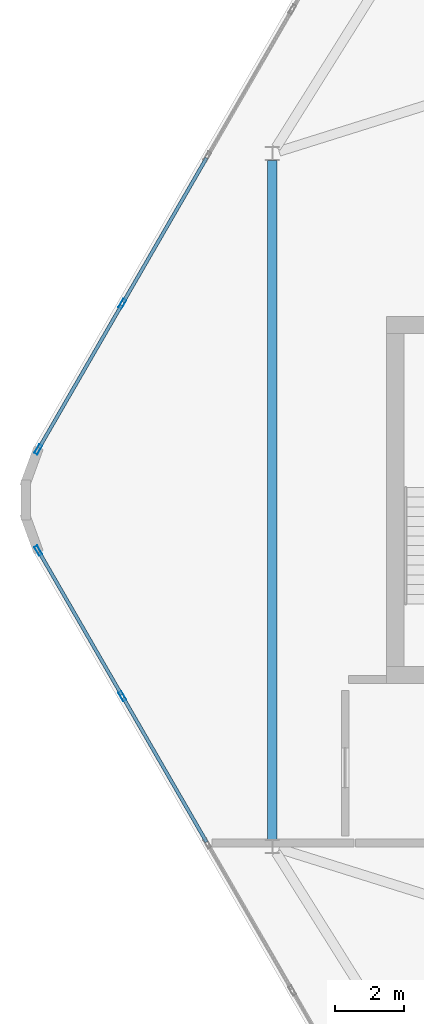
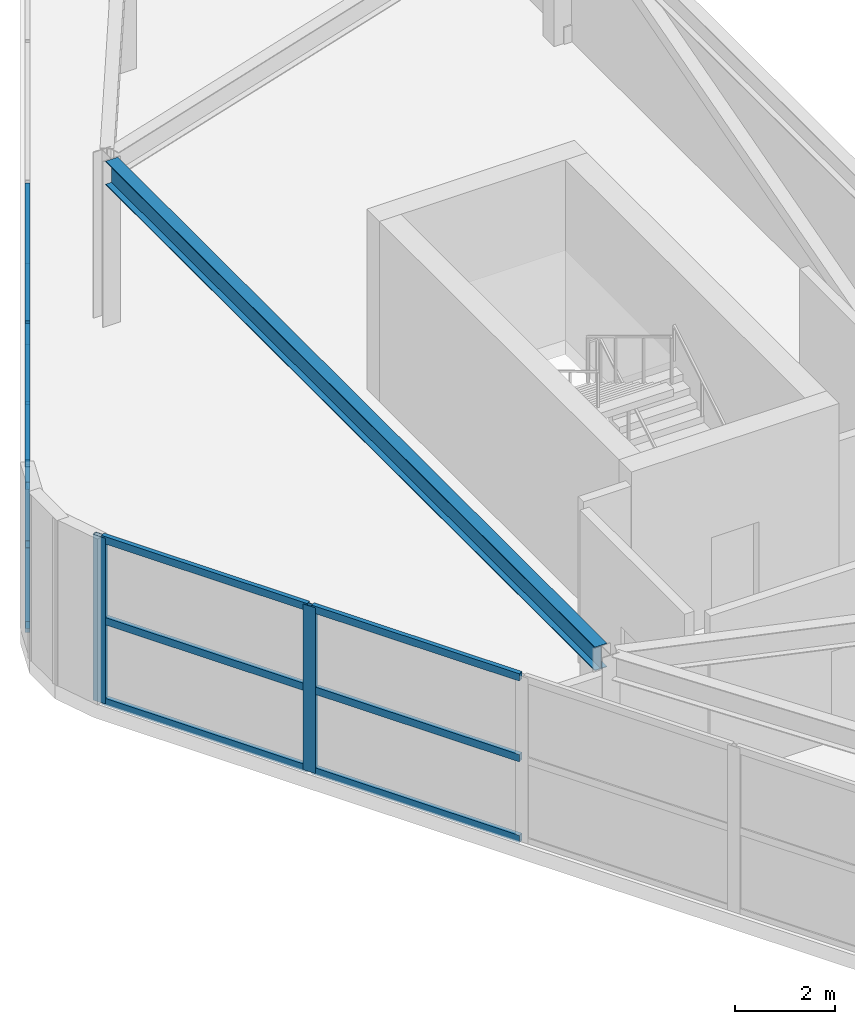
# One storey, part 5 of 16: 16 members, 1 beam, 2 elements without a shape of their own.
"""IFC4 building model written with IfcOpenShell, lengths in metres."""

from ifc_helpers import new_model, si_unit, direction, frame, origin, origin_2d, place, context, subcontext, project, spatial, hollow_rectangle, i_section, extrude, material, material_profile, profile_set, type_object, element, aggregate, save


model = new_model("IFC4")

# Units and contexts
model_context = context("Model", 3, precision=1e-05, world=origin(), true_north=direction((0.0, 1.0)))
body_context = subcontext(model_context, "Body", "Model", "MODEL_VIEW")
ifc_project = project(units=[si_unit("LENGTHUNIT", "METRE"), si_unit("AREAUNIT", "SQUARE_METRE"), si_unit("VOLUMEUNIT", "CUBIC_METRE"), si_unit("PLANEANGLEUNIT", "RADIAN"), si_unit("MASSUNIT", "GRAM", prefix="KILO")], contexts=[model_context])

# Site, building, storey
site_placement = place(None, origin())
site = spatial("IfcSite", under=ifc_project, at=site_placement, CompositionType="ELEMENT")
building_placement = place(site_placement, origin())
building = spatial("IfcBuilding", under=site, at=building_placement, Name="Zuhravey Tower", CompositionType="ELEMENT")
storey_placement = place(building_placement, frame((0.0, 0.0, 365.800048828125)))
storey = spatial("IfcBuildingStorey", under=building, at=storey_placement, Name="L93", CompositionType="ELEMENT", Elevation=365.800048828125)

# Curtain wall, members
ifc_material_1 = material(Name="Thermally broken anodised aluminium", Category="aluminium")
curtain_wall_type = type_object("IfcCurtainWallType", Name="Split-Top Crown Screened Curtain Wall CW6", PredefinedType="NOTDEFINED", material=ifc_material_1)
curtain_wall_1_placement = place(storey_placement, origin())
curtain_wall_1 = element("IfcCurtainWall", 1, at=curtain_wall_1_placement, inside=storey, type_object=curtain_wall_type, Name="L93 CW6 CW6-L93-WEST-04", PredefinedType="NOTDEFINED")
ifc_material_2 = material(Name="Anodised aluminium", Category="aluminium")
ifc_material_profile_1 = material_profile(ifc_material_2, hollow_rectangle(XDim=0.10009765625, YDim=0.2900390625, WallThickness=0.006103515625, at=origin_2d()), Name="ALU-RHS-100x290x6")
ifc_profile_set_1 = profile_set([ifc_material_profile_1], Name="Anodised aluminium")
member_type_1 = type_object("IfcMemberType", Name="Heavy Tall-Storey Mullion 100x220", PredefinedType="MULLION", material=ifc_profile_set_1)
member_1_placement = place(storey_placement, frame((11.471923828125, 26.3359375, 0.0), z_axis=(0.0, 0.0, 1.0), x_axis=(-0.866027063754, -0.499997124838, 0.0)))
member_1 = element("IfcMember", 2, at=member_1_placement, type_object=member_type_1, Name="CW6 mullion 5", PredefinedType="MULLION", context=body_context, shape_type="SweptSolid", body=[
    extrude(hollow_rectangle(XDim=0.10009765625, YDim=0.2900390625, WallThickness=0.006103515625, at=origin_2d()), origin(), (0.0, 0.0, 1.0), 4.050048828125),
])
member_2_placement = place(storey_placement, frame((9.0439453125, 30.541015625, 0.0), z_axis=(0.0, 0.0, 1.0), x_axis=(-0.866027063754, -0.499997124838, 0.0)))
member_2 = element("IfcMember", 3, at=member_2_placement, type_object=member_type_1, Name="CW6 mullion 6", PredefinedType="MULLION", context=body_context, shape_type="SweptSolid", body=[
    extrude(hollow_rectangle(XDim=0.10009765625, YDim=0.2900390625, WallThickness=0.006103515625, at=origin_2d()), origin(), (0.0, 0.0, 1.0), 4.050048828125),
])

curtain_wall_2_placement = place(storey_placement, origin())
curtain_wall_2 = element("IfcCurtainWall", 4, at=curtain_wall_2_placement, inside=storey, type_object=curtain_wall_type, Name="L93 CW6 CW6-L93-WEST-08", PredefinedType="NOTDEFINED")
member_3_placement = place(storey_placement, frame((9.0439453125, 33.458984375, 0.0), z_axis=(0.0, 0.0, 1.0), x_axis=(-0.866027063754, 0.499997124838, 0.0)))
member_3 = element("IfcMember", 5, at=member_3_placement, type_object=member_type_1, Name="CW6 mullion 1", PredefinedType="MULLION", context=body_context, shape_type="SweptSolid", body=[
    extrude(hollow_rectangle(XDim=0.10009765625, YDim=0.2900390625, WallThickness=0.006103515625, at=origin_2d()), origin(), (0.0, 0.0, 1.0), 4.050048828125),
])
member_4_placement = place(storey_placement, frame((11.471923828125, 37.6640625, 0.0), z_axis=(0.0, 0.0, 1.0), x_axis=(-0.866027063754, 0.499997124838, 0.0)))
member_4 = element("IfcMember", 6, at=member_4_placement, type_object=member_type_1, Name="CW6 mullion 2", PredefinedType="MULLION", context=body_context, shape_type="SweptSolid", body=[
    extrude(hollow_rectangle(XDim=0.10009765625, YDim=0.2900390625, WallThickness=0.006103515625, at=origin_2d()), origin(), (0.0, 0.0, 1.0), 4.050048828125),
])

# Beam
ifc_material_3 = material(Name="Steel SM355", Category="steel")
ifc_material_profile_2 = material_profile(ifc_material_3, i_section(OverallWidth=0.280029296875, OverallDepth=0.580078125, WebThickness=0.011962890625, FlangeThickness=0.01904296875, at=origin_2d()), Name="H-580x280x12x19")
ifc_profile_set_2 = profile_set([ifc_material_profile_2], Name="Steel SM355")
beam_type = type_object("IfcBeamType", Name="Perimeter Ring Beam H580x280", PredefinedType="BEAM", material=ifc_profile_set_2)
beam_placement = place(storey_placement, frame((15.800048828125, 22.2041015625, 3.760009765625), z_axis=(0.0, 1.0, 0.0), x_axis=(-1.0, 0.0, 0.0)))
element("IfcBeam", 7, at=beam_placement, inside=storey, type_object=beam_type, Name="L93 PB4 BM-L93-WCR-0-1", PredefinedType="BEAM", context=body_context, shape_type="SweptSolid", body=[
    extrude(i_section(OverallWidth=0.280029296875, OverallDepth=0.580078125, WebThickness=0.011962890625, FlangeThickness=0.01904296875, at=origin_2d()), origin(), (0.0, 0.0, 1.0), 19.591796875),
])

# Member
ifc_material_profile_3 = material_profile(ifc_material_2, hollow_rectangle(XDim=0.10009765625, YDim=0.179931640625, WallThickness=0.006103515625, at=origin_2d()), Name="ALU-RHS-100x180x6")
ifc_profile_set_3 = profile_set([ifc_material_profile_3], Name="Anodised aluminium")
member_type_2 = type_object("IfcMemberType", Name="Tall-Storey Transom 100x180", PredefinedType="USERDEFINED", material=ifc_profile_set_3)
member_5_placement = place(storey_placement, frame((13.89990234375, 22.130615234375, 0.050048828125), z_axis=(-0.50003466983, 0.866005386223, 0.0), x_axis=(-0.866005386223, -0.50003466983, 0.0)))
member_5 = element("IfcMember", 8, at=member_5_placement, type_object=member_type_2, Name="CW6 transom 4.1", ObjectType="TRANSOM", PredefinedType="USERDEFINED", context=body_context, shape_type="SweptSolid", body=[
    extrude(hollow_rectangle(XDim=0.10009765625, YDim=0.179931640625, WallThickness=0.006103515625, at=origin_2d()), origin(), (0.0, 0.0, 1.0), 4.805908203125),
])

member_6_placement = place(storey_placement, frame((13.89990234375, 22.130615234375, 2.02490234375), z_axis=(-0.50003466983, 0.866005386223, 0.0), x_axis=(-0.866005386223, -0.50003466983, 0.0)))
member_6 = element("IfcMember", 9, at=member_6_placement, type_object=member_type_2, Name="CW6 transom 4.2", ObjectType="TRANSOM", PredefinedType="USERDEFINED", context=body_context, shape_type="SweptSolid", body=[
    extrude(hollow_rectangle(XDim=0.10009765625, YDim=0.179931640625, WallThickness=0.006103515625, at=origin_2d()), origin(), (0.0, 0.0, 1.0), 4.805908203125),
])

member_7_placement = place(storey_placement, frame((13.89990234375, 22.130615234375, 4.0), z_axis=(-0.50003466983, 0.866005386223, 0.0), x_axis=(-0.866005386223, -0.50003466983, 0.0)))
member_7 = element("IfcMember", 10, at=member_7_placement, type_object=member_type_2, Name="CW6 transom 4.3", ObjectType="TRANSOM", PredefinedType="USERDEFINED", context=body_context, shape_type="SweptSolid", body=[
    extrude(hollow_rectangle(XDim=0.10009765625, YDim=0.179931640625, WallThickness=0.006103515625, at=origin_2d()), origin(), (0.0, 0.0, 1.0), 4.805908203125),
])

member_8_placement = place(storey_placement, frame((11.447021484375, 26.379150390625, 0.050048828125), z_axis=(-0.500003887042, 0.866023159588, 0.0), x_axis=(-0.866023159588, -0.500003887042, 0.0)))
member_8 = element("IfcMember", 11, at=member_8_placement, type_object=member_type_2, Name="CW6 transom 5.1", ObjectType="TRANSOM", PredefinedType="USERDEFINED", context=body_context, shape_type="SweptSolid", body=[
    extrude(hollow_rectangle(XDim=0.10009765625, YDim=0.179931640625, WallThickness=0.006103515625, at=origin_2d()), origin(), (0.0, 0.0, 1.0), 4.755859375),
])

member_9_placement = place(storey_placement, frame((11.447021484375, 26.379150390625, 2.02490234375), z_axis=(-0.500003887042, 0.866023159588, 0.0), x_axis=(-0.866023159588, -0.500003887042, 0.0)))
member_9 = element("IfcMember", 12, at=member_9_placement, type_object=member_type_2, Name="CW6 transom 5.2", ObjectType="TRANSOM", PredefinedType="USERDEFINED", context=body_context, shape_type="SweptSolid", body=[
    extrude(hollow_rectangle(XDim=0.10009765625, YDim=0.179931640625, WallThickness=0.006103515625, at=origin_2d()), origin(), (0.0, 0.0, 1.0), 4.755859375),
])

member_10_placement = place(storey_placement, frame((11.447021484375, 26.379150390625, 4.0), z_axis=(-0.500003887042, 0.866023159588, 0.0), x_axis=(-0.866023159588, -0.500003887042, 0.0)))
member_10 = element("IfcMember", 13, at=member_10_placement, type_object=member_type_2, Name="CW6 transom 5.3", ObjectType="TRANSOM", PredefinedType="USERDEFINED", context=body_context, shape_type="SweptSolid", body=[
    extrude(hollow_rectangle(XDim=0.10009765625, YDim=0.179931640625, WallThickness=0.006103515625, at=origin_2d()), origin(), (0.0, 0.0, 1.0), 4.755859375),
])

aggregate(curtain_wall_1, [member_1, member_2, member_5, member_6, member_7, member_8, member_9, member_10])

member_11_placement = place(storey_placement, frame((9.069091796875, 33.502197265625, 0.050048828125), z_axis=(0.500003887042, 0.866023159588, 0.0), x_axis=(-0.866023159588, 0.500003887042, 0.0)))
member_11 = element("IfcMember", 14, at=member_11_placement, type_object=member_type_2, Name="CW6 transom 1.1", ObjectType="TRANSOM", PredefinedType="USERDEFINED", context=body_context, shape_type="SweptSolid", body=[
    extrude(hollow_rectangle(XDim=0.10009765625, YDim=0.179931640625, WallThickness=0.006103515625, at=origin_2d()), origin(), (0.0, 0.0, 1.0), 4.755859375),
])

member_12_placement = place(storey_placement, frame((9.069091796875, 33.502197265625, 2.02490234375), z_axis=(0.500003887042, 0.866023159588, 0.0), x_axis=(-0.866023159588, 0.500003887042, 0.0)))
member_12 = element("IfcMember", 15, at=member_12_placement, type_object=member_type_2, Name="CW6 transom 1.2", ObjectType="TRANSOM", PredefinedType="USERDEFINED", context=body_context, shape_type="SweptSolid", body=[
    extrude(hollow_rectangle(XDim=0.10009765625, YDim=0.179931640625, WallThickness=0.006103515625, at=origin_2d()), origin(), (0.0, 0.0, 1.0), 4.755859375),
])

member_13_placement = place(storey_placement, frame((9.069091796875, 33.502197265625, 4.0), z_axis=(0.500003887042, 0.866023159588, 0.0), x_axis=(-0.866023159588, 0.500003887042, 0.0)))
member_13 = element("IfcMember", 16, at=member_13_placement, type_object=member_type_2, Name="CW6 transom 1.3", ObjectType="TRANSOM", PredefinedType="USERDEFINED", context=body_context, shape_type="SweptSolid", body=[
    extrude(hollow_rectangle(XDim=0.10009765625, YDim=0.179931640625, WallThickness=0.006103515625, at=origin_2d()), origin(), (0.0, 0.0, 1.0), 4.755859375),
])

member_14_placement = place(storey_placement, frame((11.496826171875, 37.70751953125, 0.050048828125), z_axis=(0.50003466983, 0.866005386223, 0.0), x_axis=(-0.866005386223, 0.50003466983, 0.0)))
member_14 = element("IfcMember", 17, at=member_14_placement, type_object=member_type_2, Name="CW6 transom 2.1", ObjectType="TRANSOM", PredefinedType="USERDEFINED", context=body_context, shape_type="SweptSolid", body=[
    extrude(hollow_rectangle(XDim=0.10009765625, YDim=0.179931640625, WallThickness=0.006103515625, at=origin_2d()), origin(), (0.0, 0.0, 1.0), 4.805908203125),
])

member_15_placement = place(storey_placement, frame((11.496826171875, 37.70751953125, 2.02490234375), z_axis=(0.50003466983, 0.866005386223, 0.0), x_axis=(-0.866005386223, 0.50003466983, 0.0)))
member_15 = element("IfcMember", 18, at=member_15_placement, type_object=member_type_2, Name="CW6 transom 2.2", ObjectType="TRANSOM", PredefinedType="USERDEFINED", context=body_context, shape_type="SweptSolid", body=[
    extrude(hollow_rectangle(XDim=0.10009765625, YDim=0.179931640625, WallThickness=0.006103515625, at=origin_2d()), origin(), (0.0, 0.0, 1.0), 4.805908203125),
])

member_16_placement = place(storey_placement, frame((11.496826171875, 37.70751953125, 4.0), z_axis=(0.50003466983, 0.866005386223, 0.0), x_axis=(-0.866005386223, 0.50003466983, 0.0)))
member_16 = element("IfcMember", 19, at=member_16_placement, type_object=member_type_2, Name="CW6 transom 2.3", ObjectType="TRANSOM", PredefinedType="USERDEFINED", context=body_context, shape_type="SweptSolid", body=[
    extrude(hollow_rectangle(XDim=0.10009765625, YDim=0.179931640625, WallThickness=0.006103515625, at=origin_2d()), origin(), (0.0, 0.0, 1.0), 4.805908203125),
])

aggregate(curtain_wall_2, [member_3, member_4, member_11, member_12, member_13, member_14, member_15, member_16])

save(model, "model.ifc")
